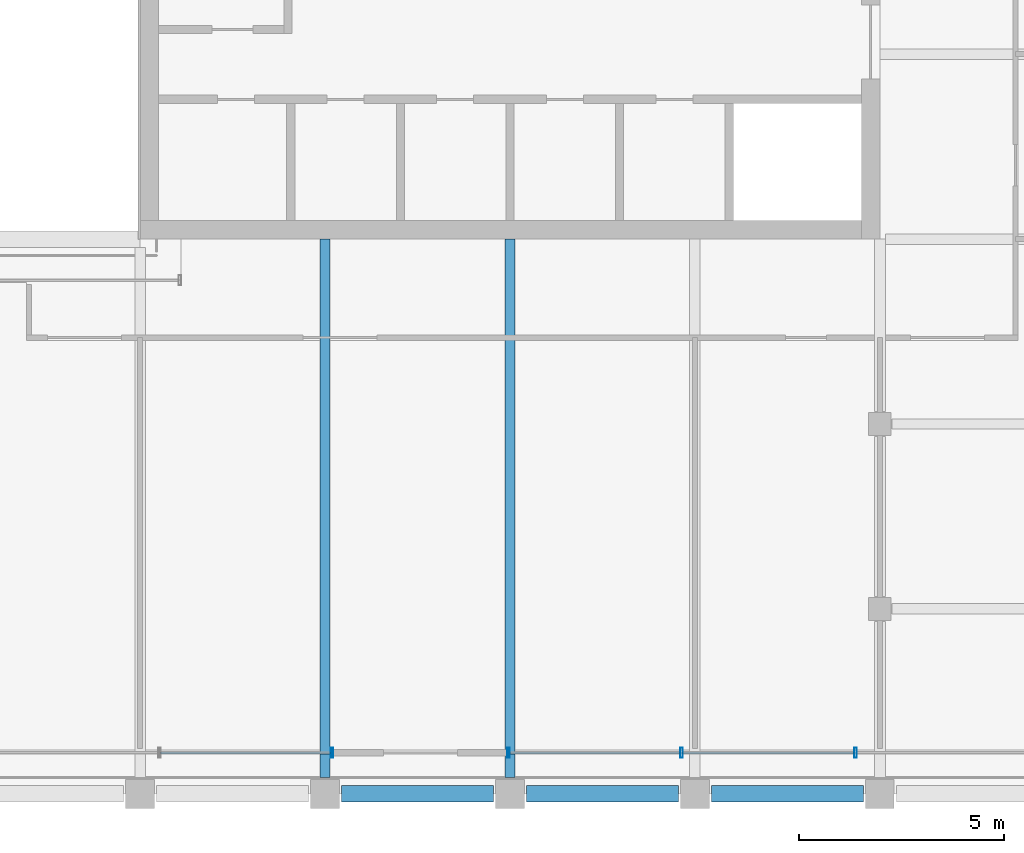
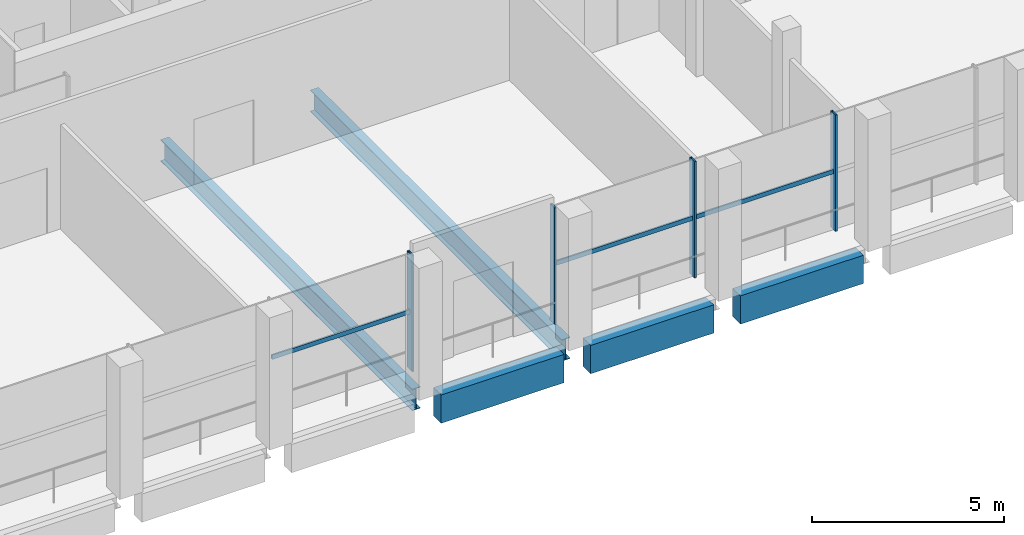
# One storey, part 5 of 17: 7 members, 5 beams, 2 elements without a shape of their own.
"""IFC4 building model written with IfcOpenShell, lengths in metres."""

import ifcopenshell
import ifcopenshell.guid

model = None  # the IFC model being written
_history = None  # IfcOwnerHistory: only IFC2X3 demands one
_inside = {}  # id of a spatial element -> (the spatial element, [elements in it])
_under = {}  # id of a project, library or spatial element -> (it, [spatial elements below it])
_declared = {}  # id of a project -> (the project, [libraries it declares])
_typed = {}  # id of a type object -> (the type object, [elements of that type])
_made_of = {}  # id of a material, layer set ... -> (it, [elements and type objects made of it])


def new_model(schema):
    """Start an empty IFC model of exactly this schema.

    Asked for "IFC4X3", IfcOpenShell would pick the latest addendum, in which some entities
    have other attributes; the version numbers below select the first issue.
    IFC2X3 requires an IfcOwnerHistory on every rooted entity: one is made here for all.
    """
    global model, _history
    if schema == "IFC4X3":
        model = ifcopenshell.file(schema_version=(4, 3, 0, 0))
    else:
        model = ifcopenshell.file(schema=schema)
    _inside.clear()
    _under.clear()
    _declared.clear()
    _typed.clear()
    _made_of.clear()
    _history = None
    if model.schema == "IFC2X3":
        org = make("IfcOrganization", Name="unknown")
        user = make(
            "IfcPersonAndOrganization",
            ThePerson=make("IfcPerson", FamilyName="unknown"),
            TheOrganization=org,
        )
        app = make(
            "IfcApplication",
            ApplicationDeveloper=org,
            Version="unknown",
            ApplicationFullName="unknown",
            ApplicationIdentifier="unknown",
        )
        _history = make(
            "IfcOwnerHistory",
            OwningUser=user,
            OwningApplication=app,
            ChangeAction="ADDED",
            CreationDate=0,
        )
    return model


def make(cls, **values):
    """One entity of the class cls with the attributes given. An attribute that is None is left unset."""
    return model.create_entity(
        cls, **{name: value for name, value in values.items() if value is not None}
    )


def rooted(cls, **values):
    """An entity with a GlobalId (a new one), such as an element, a storey or a relation."""
    return make(cls, GlobalId=ifcopenshell.guid.new(), OwnerHistory=_history, **values)


def si_unit(unit_type, name, prefix=None):
    """IfcSIUnit, for example si_unit("LENGTHUNIT", "METRE", prefix="MILLI")."""
    return make("IfcSIUnit", UnitType=unit_type, Prefix=prefix, Name=name)


def assignment(units):
    """IfcUnitAssignment: the units of a project."""
    return None if units is None else make("IfcUnitAssignment", Units=units)


def point(xyz):
    """IfcCartesianPoint."""
    return None if xyz is None else make("IfcCartesianPoint", Coordinates=xyz)


def direction(xyz):
    """IfcDirection."""
    return None if xyz is None else make("IfcDirection", DirectionRatios=xyz)


def frame(location, z_axis=None, x_axis=None):
    """IfcAxis2Placement3D, a coordinate frame: its origin and axes. An axis left out is left unset."""
    return make(
        "IfcAxis2Placement3D",
        Location=point(location),
        Axis=direction(z_axis),
        RefDirection=direction(x_axis),
    )


def frame_2d(location, x_axis=None):
    """IfcAxis2Placement2D, a coordinate frame in the plane: its origin and x axis."""
    return make(
        "IfcAxis2Placement2D", Location=point(location), RefDirection=direction(x_axis)
    )


def origin():
    """The frame at (0, 0, 0) with its axes left unset."""
    return frame((0.0, 0.0, 0.0))


def origin_2d():
    """The frame at (0, 0) in the plane with its x axis left unset."""
    return frame_2d((0.0, 0.0))


def place(relative_to, where):
    """IfcLocalPlacement: puts the frame where relative to a parent placement (None: the world)."""
    return make(
        "IfcLocalPlacement", PlacementRelTo=relative_to, RelativePlacement=where
    )


def context(
    kind, dimensions, precision=None, world=None, true_north=None, identifier=None
):
    """IfcGeometricRepresentationContext, for example the 3D "Model" context."""
    return make(
        "IfcGeometricRepresentationContext",
        ContextIdentifier=identifier,
        ContextType=kind,
        CoordinateSpaceDimension=dimensions,
        Precision=precision,
        WorldCoordinateSystem=world,
        TrueNorth=true_north,
    )


def subcontext(parent, identifier, kind, view, scale=None):
    """IfcGeometricRepresentationSubContext, for example "Body" below "Model"."""
    return make(
        "IfcGeometricRepresentationSubContext",
        ContextIdentifier=identifier,
        ContextType=kind,
        ParentContext=parent,
        TargetScale=scale,
        TargetView=view,
    )


def project(units=None, contexts=None):
    """IfcProject with its units and contexts."""
    return rooted(
        "IfcProject",
        Name="project",
        RepresentationContexts=contexts,
        UnitsInContext=assignment(units),
    )


def spatial(cls, under=None, at=None, **own):
    """A site, building, storey or space (cls), placed at a placement, below another one or the project."""
    s = rooted(cls, ObjectPlacement=at, **own)
    if under is not None:
        _under.setdefault(under.id(), (under, []))[1].append(s)
    return s


def profile(cls, at=None, kind="AREA", **sizes):
    """A parametric profile (cls). Its sizes go by their IFC names, for example OverallWidth=200.0."""
    return make(cls, ProfileType=kind, Position=at, **sizes)


def rectangle(**sizes):
    """IfcRectangleProfileDef."""
    return profile("IfcRectangleProfileDef", **sizes)


def hollow_rectangle(**sizes):
    """IfcRectangleHollowProfileDef."""
    return profile("IfcRectangleHollowProfileDef", **sizes)


def i_section(**sizes):
    """IfcIShapeProfileDef."""
    return profile("IfcIShapeProfileDef", **sizes)


def extrude(swept, where, along, depth):
    """IfcExtrudedAreaSolid: the profile swept, set in the frame where, extruded along a direction by depth."""
    return make(
        "IfcExtrudedAreaSolid",
        SweptArea=swept,
        Position=where,
        ExtrudedDirection=direction(along),
        Depth=depth,
    )


def shape(context_of_items, identifier, shape_type, items):
    """IfcShapeRepresentation: the items that make up one representation, for example the "Body"."""
    return make(
        "IfcShapeRepresentation",
        ContextOfItems=context_of_items,
        RepresentationIdentifier=identifier,
        RepresentationType=shape_type,
        Items=items,
    )


def material(Name=None, Category=None):
    """IfcMaterial."""
    return make("IfcMaterial", Name=Name, Category=Category)


def material_profile(
    of_material, cross_section, Name=None, Category=None, Priority=None
):
    """IfcMaterialProfile: a cross section and its material."""
    return make(
        "IfcMaterialProfile",
        Name=Name,
        Material=of_material,
        Profile=cross_section,
        Priority=Priority,
        Category=Category,
    )


def profile_set(profiles, Name=None, composite=None):
    """IfcMaterialProfileSet."""
    return make(
        "IfcMaterialProfileSet",
        Name=Name,
        MaterialProfiles=profiles,
        CompositeProfile=composite,
    )


def made_of(thing, what):
    """Note that an element or type object is made of a material, layer set ...; save() writes the relation."""
    if what is not None:
        _made_of.setdefault(what.id(), (what, []))[1].append(thing)
    return thing


def type_object(cls, material=None, **own):
    """A type object (cls), such as IfcWallType, which elements share."""
    return made_of(rooted(cls, **own), material)


def element(
    cls,
    number,
    at=None,
    inside=None,
    cuts=None,
    type_object=None,
    material=None,
    context=None,
    identifier="Body",
    shape_type=None,
    held_by="IfcProductDefinitionShape",
    body=None,
    shapes=None,
    **own,
):
    """One element of the class cls, such as IfcWall. Its Tag is "e" and its number.

    at: its placement. inside: the storey or other place that contains it. cuts: it is an
    opening in that element (IfcRelVoidsElement). A single representation is given by context,
    identifier, shape_type and body (its items); several are given by shapes. held_by: the class
    of the entity that holds the representations. save() writes the other relations.
    """
    e = rooted(cls, Tag="e%d" % number, ObjectPlacement=at, **own)
    if body is not None:
        shapes = [shape(context, identifier, shape_type, body)]
    if shapes is not None:
        e.Representation = make(held_by, Representations=shapes)
    if inside is not None:
        _inside.setdefault(inside.id(), (inside, []))[1].append(e)
    if cuts is not None:
        rooted(
            "IfcRelVoidsElement", RelatingBuildingElement=cuts, RelatedOpeningElement=e
        )
    if type_object is not None:
        _typed.setdefault(type_object.id(), (type_object, []))[1].append(e)
    return made_of(e, material)


def aggregate(whole, parts):
    """IfcRelAggregates: a whole, such as a stair, and the parts it consists of."""
    return rooted("IfcRelAggregates", RelatingObject=whole, RelatedObjects=parts)


def save(model, path):
    """Write the relations noted so far, then the file.

    IfcRelAggregates (storeys below a building ...), IfcRelContainedInSpatialStructure (elements
    in a storey), IfcRelDefinesByType, IfcRelAssociatesMaterial and IfcRelDeclares: one each for
    every whole, place, type object, material and project.
    """
    for whole, parts in _under.values():
        aggregate(whole, parts)
    for where, things in _inside.values():
        rooted(
            "IfcRelContainedInSpatialStructure",
            RelatedElements=things,
            RelatingStructure=where,
        )
    for kind, things in _typed.values():
        rooted("IfcRelDefinesByType", RelatedObjects=things, RelatingType=kind)
    for what, things in _made_of.values():
        rooted("IfcRelAssociatesMaterial", RelatedObjects=things, RelatingMaterial=what)
    for by, libraries in _declared.values():
        rooted("IfcRelDeclares", RelatingContext=by, RelatedDefinitions=libraries)
    model.write(path)


model = new_model("IFC4")

# Units and contexts
model_context = context("Model", 3, precision=1e-05, world=origin(), true_north=direction((0.0, 1.0)))
body_context = subcontext(model_context, "Body", "Model", "MODEL_VIEW")
ifc_project = project(units=[si_unit("LENGTHUNIT", "METRE"), si_unit("AREAUNIT", "SQUARE_METRE"), si_unit("VOLUMEUNIT", "CUBIC_METRE"), si_unit("PLANEANGLEUNIT", "RADIAN"), si_unit("MASSUNIT", "GRAM", prefix="KILO")], contexts=[model_context])

# Site, building, storey
site_placement = place(None, origin())
site = spatial("IfcSite", under=ifc_project, at=site_placement, CompositionType="ELEMENT")
building_placement = place(site_placement, origin())
building = spatial("IfcBuilding", under=site, at=building_placement, Name="Altepetl Exchange Towers", CompositionType="ELEMENT")
storey_placement = place(building_placement, frame((0.0, 0.0, 251.0)))
storey = spatial("IfcBuildingStorey", under=building, at=storey_placement, Name="L64", CompositionType="ELEMENT", Elevation=251.0)

# Beams
ifc_material_1 = material(Name="Steel S355", Category="steel")
ifc_material_profile_1 = material_profile(ifc_material_1, i_section(OverallWidth=0.25390625, OverallDepth=0.68408203125, WebThickness=0.012451171875, FlangeThickness=0.018798828125, at=origin_2d()), Name="W27X94")
ifc_profile_set_1 = profile_set([ifc_material_profile_1], Name="Steel S355")
beam_type_1 = type_object("IfcBeamType", Name="Floor beam W27X94", PredefinedType="BEAM", material=ifc_profile_set_1)
for number, where, z_axis, x_axis, name in (
    (1, (45.0, 27.39990234375, -0.51708984375), (0.0, 1.0, 0.0), (-1.0, 0.0, 0.0), "bm:A:L64:015"),
    (2, (49.5, 27.39990234375, -0.51708984375), (0.0, 1.0, 0.0), (-1.0, 0.0, 0.0), "bm:A:L64:016"),
):
    element("IfcBeam", number, at=place(storey_placement, frame(where, z_axis=z_axis, x_axis=x_axis)), inside=storey, type_object=beam_type_1, Name=name, PredefinedType="BEAM", context=body_context, shape_type="SweptSolid", body=[
        extrude(i_section(OverallWidth=0.25390625, OverallDepth=0.68408203125, WebThickness=0.012451171875, FlangeThickness=0.018798828125, at=origin_2d()), origin(), (0.0, 0.0, 1.0), 13.10009765625),
    ])

# Curtain wall, member
ifc_material_2 = material(Name="Aluminium 6063-T6 glazing", Category="aluminium")
curtain_wall_type = type_object("IfcCurtainWallType", Name="Executive flush glazing system", PredefinedType="NOTDEFINED", material=ifc_material_2)
curtain_wall_1_placement = place(storey_placement, origin())
curtain_wall_1 = element("IfcCurtainWall", 3, at=curtain_wall_1_placement, inside=storey, type_object=curtain_wall_type, Name="CW4 run", PredefinedType="NOTDEFINED")
ifc_material_3 = material(Name="Aluminium 6063-T6", Category="aluminium")
ifc_material_profile_2 = material_profile(ifc_material_3, hollow_rectangle(XDim=0.06005859375, YDim=0.25, WallThickness=0.0029296875, at=origin_2d()), Name="Mullion 60x250 hollow aluminium")
ifc_profile_set_2 = profile_set([ifc_material_profile_2], Name="Aluminium 6063-T6")
member_type_1 = type_object("IfcMemberType", Name="Mullion 60x250 hollow aluminium", PredefinedType="MULLION", material=ifc_profile_set_2)
member_1_placement = place(storey_placement, frame((45.173095703125, 28.0, 0.0)))
member_1 = element("IfcMember", 4, at=member_1_placement, type_object=member_type_1, Name="MU3 mullion", PredefinedType="MULLION", context=body_context, shape_type="SweptSolid", body=[
    extrude(hollow_rectangle(XDim=0.06005859375, YDim=0.25, WallThickness=0.0029296875, at=origin_2d()), origin(), (0.0, 0.0, 1.0), 3.699951171875),
])

# Curtain wall, members
curtain_wall_2_placement = place(storey_placement, origin())
curtain_wall_2 = element("IfcCurtainWall", 5, at=curtain_wall_2_placement, inside=storey, type_object=curtain_wall_type, Name="CW4 run", PredefinedType="NOTDEFINED")
member_2_placement = place(storey_placement, frame((49.467529296875, 28.0, 0.0)))
member_2 = element("IfcMember", 6, at=member_2_placement, type_object=member_type_1, Name="MU3 mullion", PredefinedType="MULLION", context=body_context, shape_type="SweptSolid", body=[
    extrude(hollow_rectangle(XDim=0.06005859375, YDim=0.25, WallThickness=0.0029296875, at=origin_2d()), origin(), (0.0, 0.0, 1.0), 3.699951171875),
])
member_3_placement = place(storey_placement, frame((53.671875, 28.0, 0.0)))
member_3 = element("IfcMember", 7, at=member_3_placement, type_object=member_type_1, Name="MU3 mullion", PredefinedType="MULLION", context=body_context, shape_type="SweptSolid", body=[
    extrude(hollow_rectangle(XDim=0.06005859375, YDim=0.25, WallThickness=0.0029296875, at=origin_2d()), origin(), (0.0, 0.0, 1.0), 3.699951171875),
])
member_4_placement = place(storey_placement, frame((57.90625, 28.0, 0.0)))
member_4 = element("IfcMember", 8, at=member_4_placement, type_object=member_type_1, Name="MU3 mullion", PredefinedType="MULLION", context=body_context, shape_type="SweptSolid", body=[
    extrude(hollow_rectangle(XDim=0.06005859375, YDim=0.25, WallThickness=0.0029296875, at=origin_2d()), origin(), (0.0, 0.0, 1.0), 3.699951171875),
])

# Beams
ifc_material_4 = material(Name="Concrete C50/60 precast with cantera blanca facing", Category="concrete")
ifc_material_profile_3 = material_profile(ifc_material_4, rectangle(XDim=0.39990234375, YDim=0.89990234375, at=origin_2d()), Name="400 x 900")
ifc_profile_set_3 = profile_set([ifc_material_profile_3], Name="Concrete C50/60 precast with cantera blanca facing")
beam_type_2 = type_object("IfcBeamType", Name="Spandrel beam 400x900 cantera blanca", PredefinedType="SPANDREL", material=ifc_profile_set_3)
for number, where, z_axis, x_axis, name in (
    (9, (45.39990234375, 27.0, -0.625), (1.0, 0.0, 0.0), (0.0, 1.0, 0.0), "sp:A:L64:003"),
    (10, (49.89990234375, 27.0, -0.625), (1.0, 0.0, 0.0), (0.0, 1.0, 0.0), "sp:A:L64:004"),
    (11, (54.39990234375, 27.0, -0.625), (1.0, 0.0, 0.0), (0.0, 1.0, 0.0), "sp:A:L64:005"),
):
    element("IfcBeam", number, at=place(storey_placement, frame(where, z_axis=z_axis, x_axis=x_axis)), inside=storey, type_object=beam_type_2, Name=name, PredefinedType="SPANDREL", context=body_context, shape_type="SweptSolid", body=[
        extrude(rectangle(XDim=0.39990234375, YDim=0.89990234375, at=origin_2d()), origin(), (0.0, 0.0, 1.0), 3.7001953125),
    ])

# Member
ifc_material_profile_4 = material_profile(ifc_material_3, hollow_rectangle(XDim=0.050048828125, YDim=0.139892578125, WallThickness=0.0029296875, at=origin_2d()), Name="Transom 50x140 hollow aluminium")
ifc_profile_set_4 = profile_set([ifc_material_profile_4], Name="Aluminium 6063-T6")
member_type_2 = type_object("IfcMemberType", Name="Transom 50x140 hollow aluminium", PredefinedType="USERDEFINED", material=ifc_profile_set_4)
member_5_placement = place(storey_placement, frame((40.998779296875, 28.0, 1.85009765625), z_axis=(1.0, 0.0, 0.0), x_axis=(0.0, 1.0, 0.0)))
member_5 = element("IfcMember", 12, at=member_5_placement, type_object=member_type_2, Name="TR2 transom", ObjectType="TRANSOM", PredefinedType="USERDEFINED", context=body_context, shape_type="SweptSolid", body=[
    extrude(hollow_rectangle(XDim=0.050048828125, YDim=0.139892578125, WallThickness=0.0029296875, at=origin_2d()), origin(), (0.0, 0.0, 1.0), 4.144287109375),
])

aggregate(curtain_wall_1, [member_1, member_5])

member_6_placement = place(storey_placement, frame((49.49755859375, 28.0, 1.85009765625), z_axis=(1.0, 0.0, 0.0), x_axis=(0.0, 1.0, 0.0)))
member_6 = element("IfcMember", 13, at=member_6_placement, type_object=member_type_2, Name="TR2 transom", ObjectType="TRANSOM", PredefinedType="USERDEFINED", context=body_context, shape_type="SweptSolid", body=[
    extrude(hollow_rectangle(XDim=0.050048828125, YDim=0.139892578125, WallThickness=0.0029296875, at=origin_2d()), origin(), (0.0, 0.0, 1.0), 4.144287109375),
])

member_7_placement = place(storey_placement, frame((53.701904296875, 28.0, 1.85009765625), z_axis=(1.0, 0.0, 0.0), x_axis=(0.0, 1.0, 0.0)))
member_7 = element("IfcMember", 14, at=member_7_placement, type_object=member_type_2, Name="TR2 transom", ObjectType="TRANSOM", PredefinedType="USERDEFINED", context=body_context, shape_type="SweptSolid", body=[
    extrude(hollow_rectangle(XDim=0.050048828125, YDim=0.139892578125, WallThickness=0.0029296875, at=origin_2d()), origin(), (0.0, 0.0, 1.0), 4.17431640625),
])

aggregate(curtain_wall_2, [member_2, member_3, member_4, member_6, member_7])

save(model, "model.ifc")
